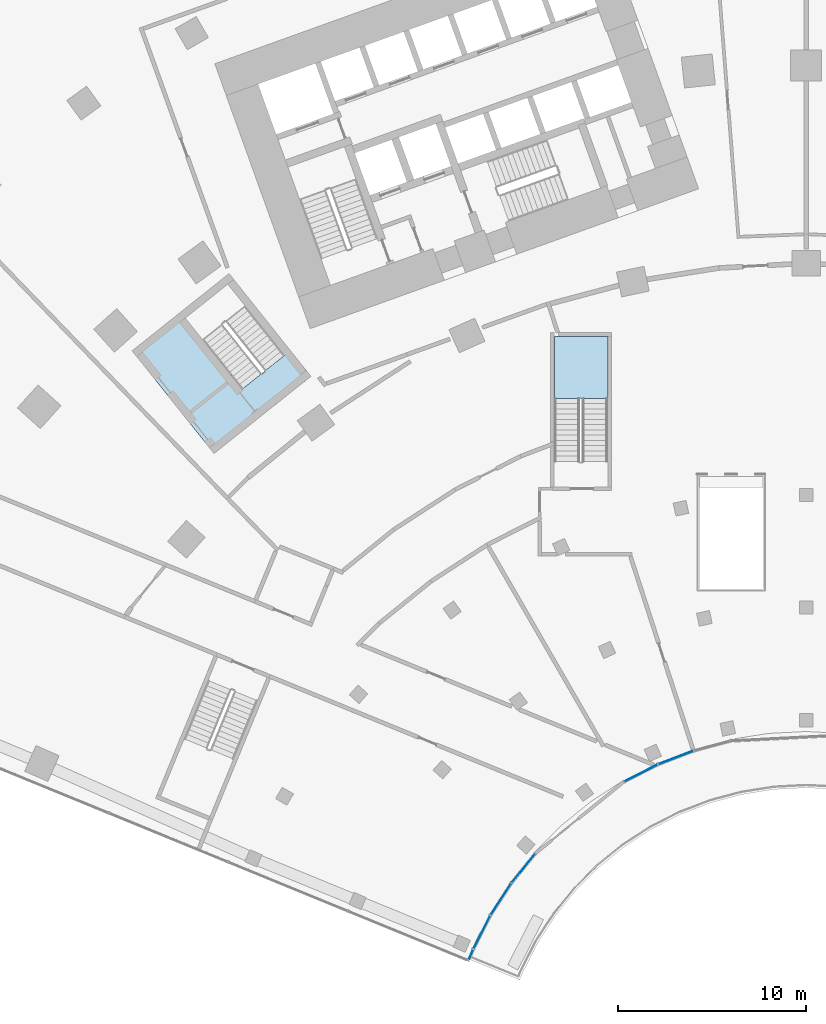
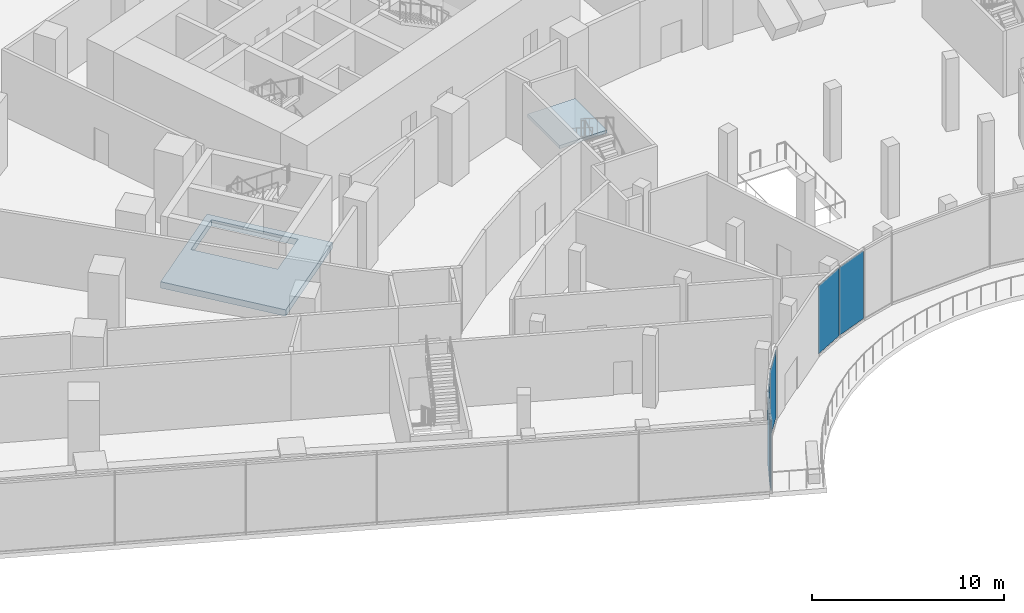
# One storey, part 18 of 40: 6 plates, 2 slabs, 2 elements without a shape of their own.
"""IFC4 building model written with IfcOpenShell, lengths in metres."""

from ifc_helpers import new_model, si_unit, direction, frame, origin, origin_2d, place, context, subcontext, project, spatial, polyline, rectangle, outline, extrude, material, layer, layer_set, type_object, element, aggregate, save


model = new_model("IFC4")

# Units and contexts
model_context = context("Model", 3, precision=1e-05, world=origin(), true_north=direction((0.0, 1.0)))
body_context = subcontext(model_context, "Body", "Model", "MODEL_VIEW")
ifc_project = project(units=[si_unit("LENGTHUNIT", "METRE"), si_unit("AREAUNIT", "SQUARE_METRE"), si_unit("VOLUMEUNIT", "CUBIC_METRE"), si_unit("PLANEANGLEUNIT", "RADIAN"), si_unit("MASSUNIT", "GRAM", prefix="KILO")], contexts=[model_context])

# Site, building, storey
site_placement = place(None, origin())
site = spatial("IfcSite", under=ifc_project, at=site_placement, CompositionType="ELEMENT")
building_placement = place(site_placement, origin())
building = spatial("IfcBuilding", under=site, at=building_placement, Name="Stone Belt Terrace Tower", CompositionType="ELEMENT")
storey_placement = place(building_placement, frame((0.0, 0.0, 7.0)))
storey = spatial("IfcBuildingStorey", under=building, at=storey_placement, Name="L01", CompositionType="ELEMENT", Elevation=7.0)

# Curtain wall, plates
ifc_material_1 = material(Name="Aluminium 6063-T6 anodised frame", Category="aluminium")
ifc_layer_1 = layer(ifc_material_1, 0.14990234375)
ifc_layer_set_1 = layer_set([ifc_layer_1], Name="CW-D podium shopfront")
curtain_wall_type = type_object("IfcCurtainWallType", Name="CW-D podium shopfront", PredefinedType="NOTDEFINED", material=ifc_layer_set_1)
curtain_wall_placement = place(storey_placement, origin())
curtain_wall = element("IfcCurtainWall", 1, at=curtain_wall_placement, inside=storey, type_object=curtain_wall_type, Name="CW-D concave face L01", PredefinedType="NOTDEFINED")
ifc_material_2 = material(Name="Clear double glazed unit")
ifc_layer_2 = layer(ifc_material_2, 0.031982421875)
ifc_layer_set_2 = layer_set([ifc_layer_2], Name="CW-D glass panel 32")
plate_type = type_object("IfcPlateType", Name="CW-D glass panel 32", PredefinedType="CURTAIN_PANEL", material=ifc_layer_set_2)
plate_1_placement = place(storey_placement, frame((-17.86669921875, 7.61767578125, 0.14013671875), z_axis=(0.0, 0.0, 1.0), x_axis=(0.393033792222, 0.919524028056, 0.0)))
plate_1 = element("IfcPlate", 2, at=plate_1_placement, type_object=plate_type, Name="CW-D panel 1.1", PredefinedType="CURTAIN_PANEL", context=body_context, shape_type="SweptSolid", body=[
    extrude(rectangle(XDim=0.5478515625, YDim=0.031982421875, at=origin_2d()), origin(), (0.0, 0.0, 1.0), 4.320068359375),
])
plate_2_placement = place(storey_placement, frame((-17.28466796875, 8.805419921875, 0.14013671875), z_axis=(0.0, 0.0, 1.0), x_axis=(0.45399049974, 0.891006524188, 0.0)))
plate_2 = element("IfcPlate", 3, at=plate_2_placement, type_object=plate_type, Name="CW-D panel 2.1", PredefinedType="CURTAIN_PANEL", context=body_context, shape_type="SweptSolid", body=[
    extrude(rectangle(XDim=1.96826171875, YDim=0.031982421875, at=origin_2d()), origin(), (0.0, 0.0, 1.0), 4.320068359375),
])
plate_3_placement = place(storey_placement, frame((-16.268798828125, 10.56494140625, 0.14013671875), z_axis=(0.0, 0.0, 1.0), x_axis=(0.544639035015, 0.838670567945, 0.0)))
plate_3 = element("IfcPlate", 4, at=plate_3_placement, type_object=plate_type, Name="CW-D panel 3.1", PredefinedType="CURTAIN_PANEL", context=body_context, shape_type="SweptSolid", body=[
    extrude(rectangle(XDim=1.965576171875, YDim=0.031982421875, at=origin_2d()), origin(), (0.0, 0.0, 1.0), 4.320068359375),
])
plate_4_placement = place(storey_placement, frame((-15.07763671875, 12.204833984375, 0.14013671875), z_axis=(0.0, 0.0, 1.0), x_axis=(0.62932039105, 0.777145961457, 0.0)))
plate_4 = element("IfcPlate", 5, at=plate_4_placement, type_object=plate_type, Name="CW-D panel 4.1", PredefinedType="CURTAIN_PANEL", context=body_context, shape_type="SweptSolid", body=[
    extrude(rectangle(XDim=1.957763671875, YDim=0.031982421875, at=origin_2d()), origin(), (0.0, 0.0, 1.0), 4.320068359375),
])
plate_5_placement = place(storey_placement, frame((-8.80322265625, 17.28564453125, 0.14013671875), z_axis=(0.0, 0.0, 1.0), x_axis=(0.891006524188, 0.45399049974, 0.0)))
plate_5 = element("IfcPlate", 6, at=plate_5_placement, type_object=plate_type, Name="CW-D panel 6.1", PredefinedType="CURTAIN_PANEL", context=body_context, shape_type="SweptSolid", body=[
    extrude(rectangle(XDim=1.957763671875, YDim=0.031982421875, at=origin_2d()), origin(), (0.0, 0.0, 1.0), 4.320068359375),
])
plate_6_placement = place(storey_placement, frame((-6.95166015625, 18.10986328125, 0.14013671875), z_axis=(0.0, 0.0, 1.0), x_axis=(0.933580426497, 0.358367949545, 0.0)))
plate_6 = element("IfcPlate", 7, at=plate_6_placement, type_object=plate_type, Name="CW-D panel 7.1", PredefinedType="CURTAIN_PANEL", context=body_context, shape_type="SweptSolid", body=[
    extrude(rectangle(XDim=1.965576171875, YDim=0.031982421875, at=origin_2d()), origin(), (0.0, 0.0, 1.0), 4.320068359375),
])
aggregate(curtain_wall, [plate_1, plate_2, plate_3, plate_4, plate_5, plate_6])

# Slab
ifc_material_3 = material(Name="Concrete B40", Category="concrete")
ifc_layer_3 = layer(ifc_material_3, 0.39990234375)
ifc_layer_set_3 = layer_set([ifc_layer_3], Name="Core floor slab 400")
slab_type_1 = type_object("IfcSlabType", Name="Core floor slab 400", PredefinedType="FLOOR", material=ifc_layer_set_3)
slab_1_placement = place(storey_placement, frame((0.0, 0.0, -0.39990234375)))
element("IfcSlab", 8, at=slab_1_placement, inside=storey, type_object=slab_type_1, Name="Exit stair ST3A floor L01", PredefinedType="FLOOR", context=body_context, shape_type="SweptSolid", body=[
    extrude(outline(polyline([(-26.39404296875, 38.425048828125), (-30.756103515625, 43.89990234375), (-35.91796875, 39.787109375), (-31.555908203125, 34.31298828125), (-26.39404296875, 38.425048828125)]), holes=[polyline([(-27.798095703125, 39.544921875), (-30.06591796875, 37.738037109375), (-33.087890625, 41.531005859375), (-30.820068359375, 43.337890625), (-27.798095703125, 39.544921875)])]), origin(), (0.0, 0.0, 1.0), 0.39990234375),
])

# Stair, slab
ifc_material_4 = material(Name="Concrete B30", Category="concrete")
stair_type = type_object("IfcStairType", Name="Podium stair concrete B30", PredefinedType="HALF_TURN_STAIR", material=ifc_material_4)
stair_placement = place(storey_placement, origin())
stair = element("IfcStair", 9, at=stair_placement, inside=storey, type_object=stair_type, Name="L01 podium exit stair 5", PredefinedType="HALF_TURN_STAIR")
ifc_layer_4 = layer(ifc_material_4, 0.199951171875)
ifc_layer_set_4 = layer_set([ifc_layer_4], Name="Podium stair landing concrete B30")
slab_type_2 = type_object("IfcSlabType", Name="Podium stair landing concrete B30", PredefinedType="LANDING", material=ifc_layer_set_4)
slab_2_placement = place(storey_placement, frame((0.0, 0.0, 2.10009765625)))
slab_2 = element("IfcSlab", 10, at=slab_2_placement, type_object=slab_type_2, Name="PS5 landing 1", PredefinedType="LANDING", context=body_context, shape_type="SweptSolid", body=[
    extrude(outline(polyline([(-10.574951171875, 37.2470703125), (-10.574951171875, 40.56005859375), (-13.425048828125, 40.56005859375), (-13.425048828125, 37.2470703125), (-10.574951171875, 37.2470703125)])), origin(), (0.0, 0.0, 1.0), 0.199951171875),
])
aggregate(stair, [slab_2])

save(model, "model.ifc")
